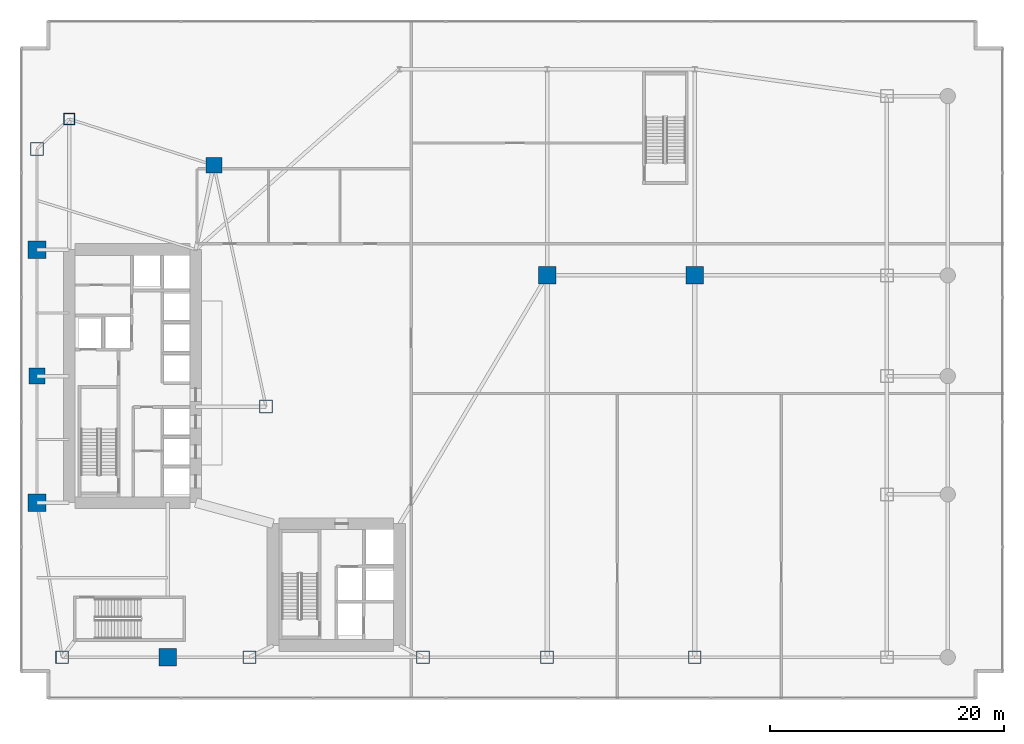
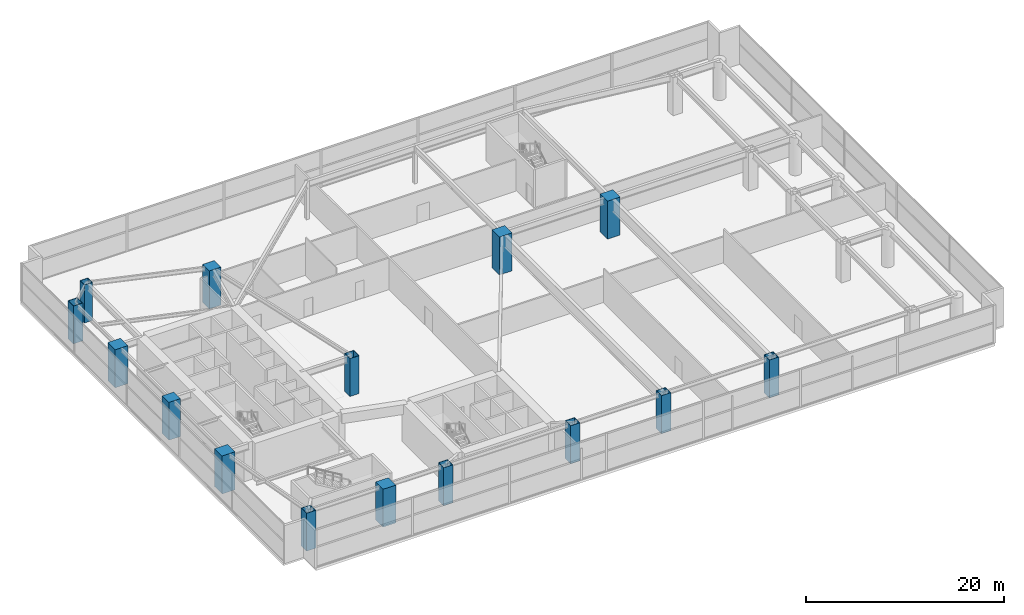
# One storey, part 1 of 35: 15 columns.
"""IFC4 building model written with IfcOpenShell, lengths in metres."""

from ifc_helpers import new_model, si_unit, direction, frame, origin, origin_2d, place, context, subcontext, project, spatial, rectangle, hollow_rectangle, extrude, material, material_profile, profile_set, type_object, element, save


model = new_model("IFC4")

# Units and contexts
model_context = context("Model", 3, precision=1e-05, world=origin(), true_north=direction((0.0, 1.0)))
body_context = subcontext(model_context, "Body", "Model", "MODEL_VIEW")
ifc_project = project(units=[si_unit("LENGTHUNIT", "METRE"), si_unit("AREAUNIT", "SQUARE_METRE"), si_unit("VOLUMEUNIT", "CUBIC_METRE"), si_unit("PLANEANGLEUNIT", "RADIAN"), si_unit("MASSUNIT", "GRAM", prefix="KILO")], contexts=[model_context])

# Site, building, storey
site_placement = place(None, origin())
site = spatial("IfcSite", under=ifc_project, at=site_placement, CompositionType="ELEMENT")
building_placement = place(site_placement, origin())
building = spatial("IfcBuilding", under=site, at=building_placement, Name="Calvorn Quay Hotel", CompositionType="ELEMENT")
storey_placement = place(building_placement, frame((0.0, 0.0, 12.0)))
storey = spatial("IfcBuildingStorey", under=building, at=storey_placement, Name="L02", CompositionType="ELEMENT", Elevation=12.0)

# Columns
ifc_material_1 = material(Name="Concrete C60", Category="concrete")
ifc_material_profile_1 = material_profile(ifc_material_1, rectangle(XDim=1.35009765625, YDim=1.35009765625, at=origin_2d()), Name="RC1350x1350")
ifc_profile_set_1 = profile_set([ifc_material_profile_1], Name="Concrete C60")
column_type_1 = type_object("IfcColumnType", Name="COL-RC-1350", PredefinedType="COLUMN", material=ifc_profile_set_1)
for number, where, z_axis, x_axis, name in (
    (1, (1.449951171875, 27.60009765625, 0.0), (0.0, 0.0, 1.0), (1.0, 0.0, 0.0), "Column C-W3 (L02)"),
    (2, (16.550048828125, 45.60009765625, 0.0), (0.0, 0.0, 1.0), (1.0, 0.0, 0.0), "Column C-IC1 (L02)"),
):
    element("IfcColumn", number, at=place(storey_placement, frame(where, z_axis=z_axis, x_axis=x_axis)), inside=storey, type_object=column_type_1, Name=name, PredefinedType="COLUMN", context=body_context, shape_type="SweptSolid", body=[
        extrude(rectangle(XDim=1.35009765625, YDim=1.35009765625, at=origin_2d()), origin(), (0.0, 0.0, 1.0), 4.679931640625),
    ])
ifc_material_2 = material(Name="Concrete C60", Category="concrete")
ifc_material_profile_2 = material_profile(ifc_material_2, rectangle(XDim=1.5, YDim=1.5, at=origin_2d()), Name="RC1500x1500")
ifc_profile_set_2 = profile_set([ifc_material_profile_2], Name="Concrete C60")
column_type_2 = type_object("IfcColumnType", Name="COL-RC-1500", PredefinedType="COLUMN", material=ifc_profile_set_2)
for number, where, z_axis, x_axis, name in (
    (3, (1.449951171875, 16.800048828125, 0.0), (0.0, 0.0, 1.0), (1.0, 0.0, 0.0), "Column C-W2 (L02)"),
    (4, (1.449951171875, 38.39990234375, 0.0), (0.0, 0.0, 1.0), (1.0, 0.0, 0.0), "Column C-W4 (L02)"),
    (5, (12.60009765625, 3.60009765625, 0.0), (0.0, 0.0, 1.0), (1.0, 0.0, 0.0), "Column C-S1 (L02)"),
    (6, (45.0, 36.199951171875, 0.0), (0.0, 0.0, 1.0), (1.0, 0.0, 0.0), "Column C-PN1 (L02)"),
    (7, (57.60009765625, 36.199951171875, 0.0), (0.0, 0.0, 1.0), (1.0, 0.0, 0.0), "Column C-PN2 (L02)"),
):
    element("IfcColumn", number, at=place(storey_placement, frame(where, z_axis=z_axis, x_axis=x_axis)), inside=storey, type_object=column_type_2, Name=name, PredefinedType="COLUMN", context=body_context, shape_type="SweptSolid", body=[
        extrude(rectangle(XDim=1.5, YDim=1.5, at=origin_2d()), origin(), (0.0, 0.0, 1.0), 4.679931640625),
    ])
ifc_material_3 = material(Name="Steel Q420GJC", Category="steel")
ifc_material_profile_3 = material_profile(ifc_material_3, hollow_rectangle(XDim=1.10009765625, YDim=1.10009765625, WallThickness=0.044921875, at=origin_2d()), Name="BOX1100x1100x45")
ifc_profile_set_3 = profile_set([ifc_material_profile_3], Name="Steel Q420GJC")
column_type_3 = type_object("IfcColumnType", Name="COL-STL-MEGA1", PredefinedType="COLUMN", material=ifc_profile_set_3)
for number, where, z_axis, x_axis, name in (
    (8, (3.60009765625, 3.60009765625, 0.0), (0.0, 0.0, 1.0), (1.0, 0.0, 0.0), "Column C-W1 (L02)"),
    (9, (1.449951171875, 47.0, 0.0), (0.0, 0.0, 1.0), (1.0, 0.0, 0.0), "Column C-W5 (L02)"),
    (10, (21.0, 25.0, 0.0), (0.0, 0.0, 1.0), (1.0, 0.0, 0.0), "Column C-IC2 (L02)"),
    (11, (19.60009765625, 3.60009765625, 0.0), (0.0, 0.0, 1.0), (1.0, 0.0, 0.0), "Column C-S2 (L02)"),
    (12, (34.39990234375, 3.60009765625, 0.0), (0.0, 0.0, 1.0), (1.0, 0.0, 0.0), "Column C-S3 (L02)"),
    (13, (45.0, 3.60009765625, 0.0), (0.0, 0.0, 1.0), (1.0, 0.0, 0.0), "Column C-PS4 (L02)"),
    (14, (57.60009765625, 3.60009765625, 0.0), (0.0, 0.0, 1.0), (1.0, 0.0, 0.0), "Column C-PS5 (L02)"),
):
    element("IfcColumn", number, at=place(storey_placement, frame(where, z_axis=z_axis, x_axis=x_axis)), inside=storey, type_object=column_type_3, Name=name, PredefinedType="COLUMN", context=body_context, shape_type="SweptSolid", body=[
        extrude(hollow_rectangle(XDim=1.10009765625, YDim=1.10009765625, WallThickness=0.044921875, at=origin_2d()), origin(), (0.0, 0.0, 1.0), 4.679931640625),
    ])
ifc_material_4 = material(Name="Steel Q420GJC", Category="steel")
ifc_material_profile_4 = material_profile(ifc_material_4, hollow_rectangle(XDim=0.949951171875, YDim=0.949951171875, WallThickness=0.0400390625, at=origin_2d()), Name="BOX950x950x40")
ifc_profile_set_4 = profile_set([ifc_material_profile_4], Name="Steel Q420GJC")
column_type_4 = type_object("IfcColumnType", Name="COL-STL-MEGA2", PredefinedType="COLUMN", material=ifc_profile_set_4)
column_placement = place(storey_placement, frame((4.199951171875, 49.550048828125, 0.0), z_axis=(0.0, 0.0, 1.0), x_axis=(1.0, 0.0, 0.0)))
element("IfcColumn", 15, at=column_placement, inside=storey, type_object=column_type_4, Name="Column C-NW1 (L02)", PredefinedType="COLUMN", context=body_context, shape_type="SweptSolid", body=[
    extrude(hollow_rectangle(XDim=0.949951171875, YDim=0.949951171875, WallThickness=0.0400390625, at=origin_2d()), origin(), (0.0, 0.0, 1.0), 4.679931640625),
])

save(model, "model.ifc")
